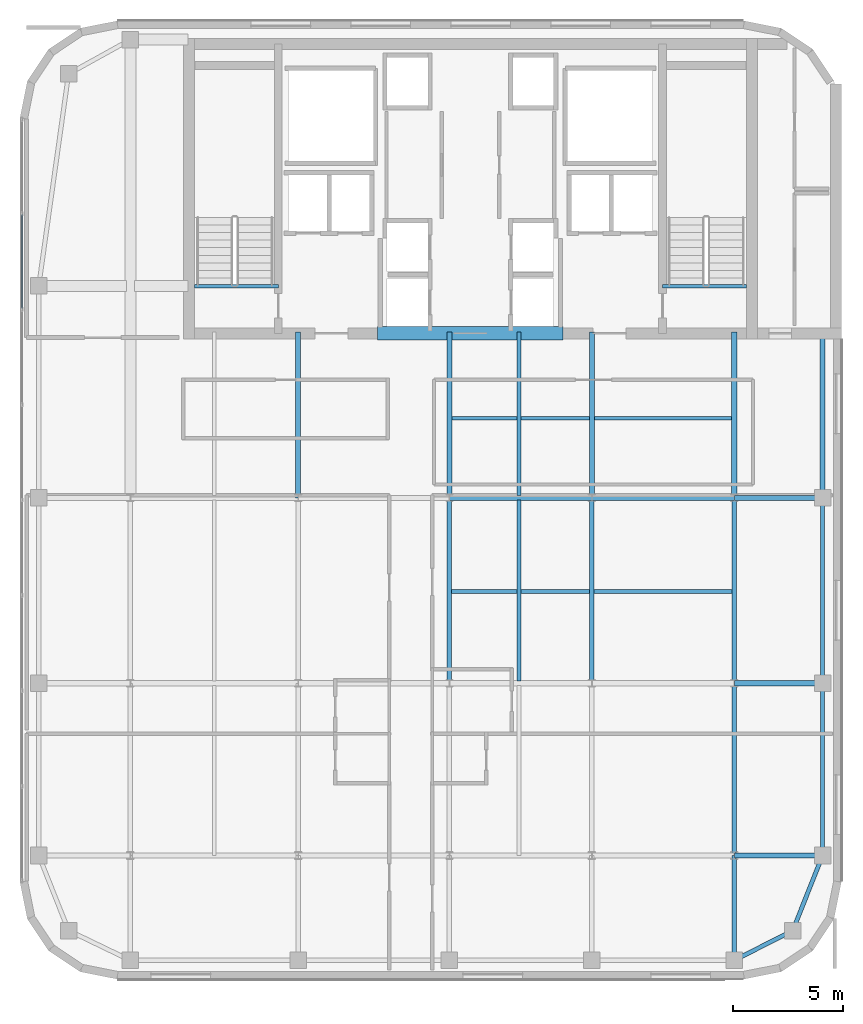
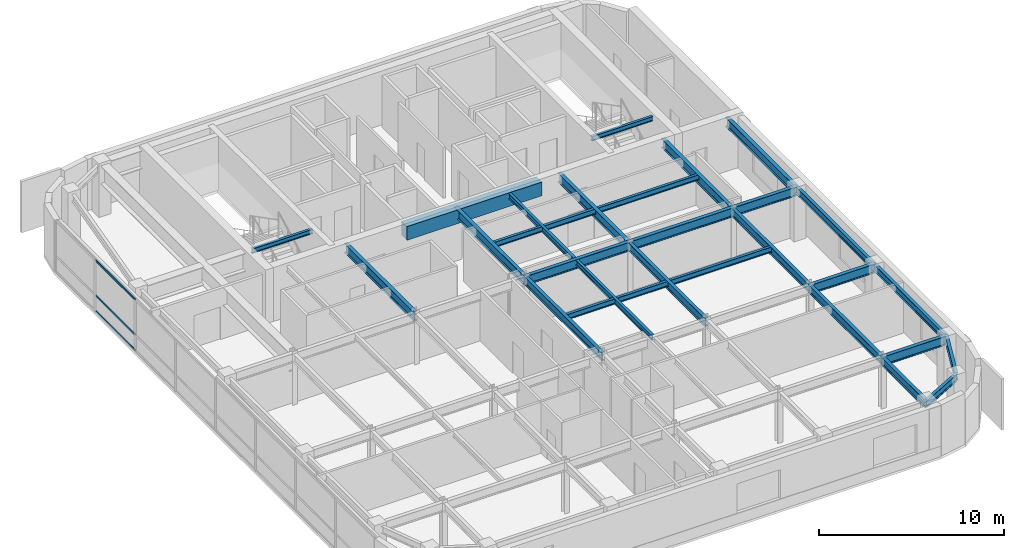
# One storey, part 10 of 21: 26 beams, 3 members, 1 element without a shape of its own.
"""IFC4 building model written with IfcOpenShell, lengths in metres."""

from ifc_helpers import new_model, si_unit, direction, frame, origin, origin_2d, place, context, subcontext, project, spatial, rectangle, hollow_rectangle, i_section, extrude, source, transform, mapped, material, layer, layer_set, material_profile, profile_set, type_object, type_shapes, element, aggregate, save


model = new_model("IFC4")

# Units and contexts
model_context = context("Model", 3, precision=1e-05, world=origin(), true_north=direction((0.0, 1.0)))
body_context = subcontext(model_context, "Body", "Model", "MODEL_VIEW")
ifc_project = project(units=[si_unit("LENGTHUNIT", "METRE"), si_unit("AREAUNIT", "SQUARE_METRE"), si_unit("VOLUMEUNIT", "CUBIC_METRE"), si_unit("PLANEANGLEUNIT", "RADIAN"), si_unit("MASSUNIT", "GRAM", prefix="KILO")], contexts=[model_context])

# Site, building, storey
site_placement = place(None, origin())
site = spatial("IfcSite", under=ifc_project, at=site_placement, CompositionType="ELEMENT")
building_placement = place(site_placement, origin())
building = spatial("IfcBuilding", under=site, at=building_placement, Name="Tolvann Quenvar Hotel", CompositionType="ELEMENT")
storey_placement = place(building_placement, frame((0.0, 0.0, 227.449951171875)))
storey = spatial("IfcBuildingStorey", under=building, at=storey_placement, Name="L60", CompositionType="ELEMENT", Elevation=227.449951171875)

# Beams
ifc_material_1 = material(Name="Concrete N50 (50 MPa)", Category="concrete")
ifc_material_profile_1 = material_profile(ifc_material_1, rectangle(XDim=0.60009765625, YDim=0.89990234375, at=origin_2d()), Name="RC600x900")
ifc_profile_set_1 = profile_set([ifc_material_profile_1], Name="Concrete N50 (50 MPa)")
beam_type_1 = type_object("IfcBeamType", Name="BM_LINT_RC600x900", PredefinedType="LINTEL", material=ifc_profile_set_1)
shared_shape_1 = source(origin(), body_context, "Body", "SweptSolid", [
    extrude(rectangle(XDim=0.60009765625, YDim=0.89990234375, at=origin_2d()), origin(), (0.0, 0.0, 1.0), 8.39990234375),
])
type_shapes(beam_type_1, [shared_shape_1])
beam_1_placement = place(storey_placement, frame((18.800048828125, 31.85009765625, 2.920166015625), z_axis=(1.0, 0.0, 0.0), x_axis=(0.0, 1.0, 0.0)))
element("IfcBeam", 1, at=beam_1_placement, inside=storey, type_object=beam_type_1, Name="Core Coupling Lintel Beam (L60)", PredefinedType="LINTEL", context=body_context, shape_type="MappedRepresentation", body=[
    mapped(shared_shape_1, transform((0.0, 0.0, 0.0), x_axis=(1.0, 0.0, 0.0), y_axis=(0.0, 1.0, 0.0), z_axis=(0.0, 0.0, 1.0), scale=1.0)),
])
ifc_material_2 = material(Name="Steel Grade 350", Category="steel")
ifc_material_profile_2 = material_profile(ifc_material_2, i_section(OverallWidth=0.208984375, OverallDepth=0.532958984375, WebThickness=0.01025390625, FlangeThickness=0.015625, FilletRadius=0.013916015625, at=origin_2d()), Name="530UB92")
ifc_profile_set_2 = profile_set([ifc_material_profile_2], Name="Steel Grade 350")
beam_type_2 = type_object("IfcBeamType", Name="BM_GIRD_530UB92", PredefinedType="BEAM", material=ifc_profile_set_2)
shared_shape_2 = source(origin(), body_context, "Body", "SweptSolid", [
    extrude(i_section(OverallWidth=0.208984375, OverallDepth=0.532958984375, WebThickness=0.01025390625, FlangeThickness=0.015625, FilletRadius=0.013916015625, at=origin_2d()), origin(), (0.0, 0.0, 1.0), 7.800048828125),
])
beam_2_placement = place(storey_placement, frame((34.949951171875, 8.199951171875, 3.103515625), z_axis=(0.0, 1.0, 0.0), x_axis=(-1.0, 0.0, 0.0)))
element("IfcBeam", 2, at=beam_2_placement, inside=storey, type_object=beam_type_2, Name="BM-L60-NS-F3-F4", PredefinedType="BEAM", context=body_context, shape_type="MappedRepresentation", body=[
    mapped(shared_shape_2, transform((0.0, 0.0, 0.0), x_axis=(1.0, 0.0, 0.0), y_axis=(0.0, 1.0, 0.0), z_axis=(0.0, 0.0, 1.0), scale=1.0)),
])
shared_shape_3 = source(origin(), body_context, "Body", "SweptSolid", [
    extrude(i_section(OverallWidth=0.208984375, OverallDepth=0.532958984375, WebThickness=0.01025390625, FlangeThickness=0.015625, FilletRadius=0.013916015625, at=origin_2d()), origin(), (0.0, 0.0, 1.0), 8.39990234375),
])
for number, where, z_axis, x_axis, name in (
    (3, (22.050048828125, 16.0, 3.103515625), (0.0, 1.0, 0.0), (-1.0, 0.0, 0.0), "BM-L60-NS-E4-E5"),
    (4, (34.949951171875, 16.0, 3.103515625), (0.0, 1.0, 0.0), (-1.0, 0.0, 0.0), "BM-L60-NS-F4-F5"),
    (5, (28.5, 16.0, 3.103515625), (0.0, 1.0, 0.0), (-1.0, 0.0, 0.0), "BM-L60-NS-M4-M5"),
):
    element("IfcBeam", number, at=place(storey_placement, frame(where, z_axis=z_axis, x_axis=x_axis)), inside=storey, type_object=beam_type_2, Name=name, PredefinedType="BEAM", context=body_context, shape_type="MappedRepresentation", body=[
        mapped(shared_shape_3, transform((0.0, 0.0, 0.0), x_axis=(1.0, 0.0, 0.0), y_axis=(0.0, 1.0, 0.0), z_axis=(0.0, 0.0, 1.0), scale=1.0)),
    ])
ifc_material_profile_3 = material_profile(ifc_material_2, i_section(OverallWidth=0.166015625, OverallDepth=0.306884765625, WebThickness=0.006591796875, FlangeThickness=0.01171875, FilletRadius=0.011474609375, at=origin_2d()), Name="310UB46")
ifc_profile_set_3 = profile_set([ifc_material_profile_3], Name="Steel Grade 350")
beam_type_3 = type_object("IfcBeamType", Name="BM_JOIST_310UB46", PredefinedType="JOIST", material=ifc_profile_set_3)
shared_shape_4 = source(origin(), body_context, "Body", "SweptSolid", [
    extrude(i_section(OverallWidth=0.166015625, OverallDepth=0.306884765625, WebThickness=0.006591796875, FlangeThickness=0.01171875, FilletRadius=0.011474609375, at=origin_2d()), origin(), (0.0, 0.0, 1.0), 3.800048828125),
])
type_shapes(beam_type_3, [shared_shape_4])
for number, where, z_axis, x_axis, name in (
    (6, (10.5, 33.97998046875, 3.216552734375), (1.0, 0.0, 0.0), (0.0, 1.0, 0.0), "BM-HDR-STC1-L61"),
    (7, (31.699951171875, 33.97998046875, 3.216552734375), (1.0, 0.0, 0.0), (0.0, 1.0, 0.0), "BM-HDR-STC2-L61"),
):
    element("IfcBeam", number, at=place(storey_placement, frame(where, z_axis=z_axis, x_axis=x_axis)), inside=storey, type_object=beam_type_3, Name=name, PredefinedType="JOIST", context=body_context, shape_type="MappedRepresentation", body=[
        mapped(shared_shape_4, transform((0.0, 0.0, 0.0), x_axis=(1.0, 0.0, 0.0), y_axis=(0.0, 1.0, 0.0), z_axis=(0.0, 0.0, 1.0), scale=1.0)),
    ])
ifc_material_profile_4 = material_profile(ifc_material_2, i_section(OverallWidth=0.172119140625, OverallDepth=0.35888671875, WebThickness=0.008056640625, FlangeThickness=0.012939453125, FilletRadius=0.011474609375, at=origin_2d()), Name="360UB57")
ifc_profile_set_4 = profile_set([ifc_material_profile_4], Name="Steel Grade 350")
beam_type_4 = type_object("IfcBeamType", Name="BM_JOIST_360UB57", PredefinedType="JOIST", material=ifc_profile_set_4)
shared_shape_5 = source(origin(), body_context, "Body", "SweptSolid", [
    extrude(i_section(OverallWidth=0.172119140625, OverallDepth=0.35888671875, WebThickness=0.008056640625, FlangeThickness=0.012939453125, FilletRadius=0.011474609375, at=origin_2d()), origin(), (0.0, 0.0, 1.0), 12.89990234375),
])
for number, where, z_axis, x_axis, name in (
    (8, (22.050048828125, 20.14990234375, 3.1904296875), (1.0, 0.0, 0.0), (0.0, 1.0, 0.0), "BM-L60-SPINE-20"),
    (9, (22.050048828125, 28.0, 3.1904296875), (1.0, 0.0, 0.0), (0.0, 1.0, 0.0), "BM-L60-SPINE-28"),
):
    element("IfcBeam", number, at=place(storey_placement, frame(where, z_axis=z_axis, x_axis=x_axis)), inside=storey, type_object=beam_type_4, Name=name, PredefinedType="JOIST", context=body_context, shape_type="MappedRepresentation", body=[
        mapped(shared_shape_5, transform((0.0, 0.0, 0.0), x_axis=(1.0, 0.0, 0.0), y_axis=(0.0, 1.0, 0.0), z_axis=(0.0, 0.0, 1.0), scale=1.0)),
    ])
ifc_material_profile_5 = material_profile(ifc_material_2, i_section(OverallWidth=0.22802734375, OverallDepth=0.60205078125, WebThickness=0.010498046875, FlangeThickness=0.014892578125, FilletRadius=0.013916015625, at=origin_2d()), Name="610UB101")
ifc_profile_set_5 = profile_set([ifc_material_profile_5], Name="Steel Grade 350")
beam_type_5 = type_object("IfcBeamType", Name="BM_GIRD_610UB101", PredefinedType="BEAM", material=ifc_profile_set_5)
shared_shape_6 = source(origin(), body_context, "Body", "SweptSolid", [
    extrude(i_section(OverallWidth=0.22802734375, OverallDepth=0.60205078125, WebThickness=0.010498046875, FlangeThickness=0.014892578125, FilletRadius=0.013916015625, at=origin_2d()), origin(), (0.0, 0.0, 1.0), 6.449951171875),
])
for number, where, z_axis, x_axis, name in (
    (10, (22.050048828125, 24.39990234375, 3.069091796875), (1.0, 0.0, 0.0), (0.0, 1.0, 0.0), "BM-L60-EW-5-E5-M5"),
    (11, (28.5, 24.39990234375, 3.069091796875), (1.0, 0.0, 0.0), (0.0, 1.0, 0.0), "BM-L60-EW-5-M5-F5"),
):
    element("IfcBeam", number, at=place(storey_placement, frame(where, z_axis=z_axis, x_axis=x_axis)), inside=storey, type_object=beam_type_5, Name=name, PredefinedType="BEAM", context=body_context, shape_type="MappedRepresentation", body=[
        mapped(shared_shape_6, transform((0.0, 0.0, 0.0), x_axis=(1.0, 0.0, 0.0), y_axis=(0.0, 1.0, 0.0), z_axis=(0.0, 0.0, 1.0), scale=1.0)),
    ])
shared_shape_7 = source(origin(), body_context, "Body", "SweptSolid", [
    extrude(i_section(OverallWidth=0.208984375, OverallDepth=0.532958984375, WebThickness=0.01025390625, FlangeThickness=0.015625, FilletRadius=0.013916015625, at=origin_2d()), origin(), (0.0, 0.0, 1.0), 4.75),
])
type_shapes(beam_type_2, [shared_shape_2, shared_shape_3, shared_shape_7])
beam_3_placement = place(storey_placement, frame((34.949951171875, 3.449951171875, 3.103515625), z_axis=(0.0, 1.0, 0.0), x_axis=(-1.0, 0.0, 0.0)))
element("IfcBeam", 12, at=beam_3_placement, inside=storey, type_object=beam_type_2, Name="BM-L60-NS-F2-F3", PredefinedType="BEAM", context=body_context, shape_type="MappedRepresentation", body=[
    mapped(shared_shape_7, transform((0.0, 0.0, 0.0), x_axis=(1.0, 0.0, 0.0), y_axis=(0.0, 1.0, 0.0), z_axis=(0.0, 0.0, 1.0), scale=1.0)),
])
shared_shape_8 = source(origin(), body_context, "Body", "SweptSolid", [
    extrude(i_section(OverallWidth=0.22802734375, OverallDepth=0.60205078125, WebThickness=0.010498046875, FlangeThickness=0.014892578125, FilletRadius=0.013916015625, at=origin_2d()), origin(), (0.0, 0.0, 1.0), 7.5),
])
for number, where, z_axis, x_axis, name in (
    (13, (15.199951171875, 24.39990234375, 3.069091796875), (0.0, 1.0, 0.0), (-1.0, 0.0, 0.0), "BM-L60-CORE-D5"),
    (14, (22.050048828125, 24.39990234375, 3.069091796875), (0.0, 1.0, 0.0), (-1.0, 0.0, 0.0), "BM-L60-CORE-E5"),
    (15, (34.949951171875, 24.39990234375, 3.069091796875), (0.0, 1.0, 0.0), (-1.0, 0.0, 0.0), "BM-L60-CORE-F5"),
    (16, (38.949951171875, 24.39990234375, 3.069091796875), (0.0, 1.0, 0.0), (-1.0, 0.0, 0.0), "BM-L60-CORE-G5"),
    (17, (28.5, 24.39990234375, 3.069091796875), (0.0, 1.0, 0.0), (-1.0, 0.0, 0.0), "BM-L60-CORE-M5"),
):
    element("IfcBeam", number, at=place(storey_placement, frame(where, z_axis=z_axis, x_axis=x_axis)), inside=storey, type_object=beam_type_5, Name=name, PredefinedType="BEAM", context=body_context, shape_type="MappedRepresentation", body=[
        mapped(shared_shape_8, transform((0.0, 0.0, 0.0), x_axis=(1.0, 0.0, 0.0), y_axis=(0.0, 1.0, 0.0), z_axis=(0.0, 0.0, 1.0), scale=1.0)),
    ])
shared_shape_9 = source(origin(), body_context, "Body", "SweptSolid", [
    extrude(i_section(OverallWidth=0.172119140625, OverallDepth=0.35888671875, WebThickness=0.008056640625, FlangeThickness=0.012939453125, FilletRadius=0.011474609375, at=origin_2d()), origin(), (0.0, 0.0, 1.0), 8.18408203125),
])
beam_4_placement = place(storey_placement, frame((25.199951171875, 16.10791015625, 3.1904296875), z_axis=(0.0, 1.0, 0.0), x_axis=(-1.0, 0.0, 0.0)))
element("IfcBeam", 18, at=beam_4_placement, inside=storey, type_object=beam_type_4, Name="BJ-L60-252-160", PredefinedType="JOIST", context=body_context, shape_type="MappedRepresentation", body=[
    mapped(shared_shape_9, transform((0.0, 0.0, 0.0), x_axis=(1.0, 0.0, 0.0), y_axis=(0.0, 1.0, 0.0), z_axis=(0.0, 0.0, 1.0), scale=1.0)),
])
shared_shape_10 = source(origin(), body_context, "Body", "SweptSolid", [
    extrude(i_section(OverallWidth=0.172119140625, OverallDepth=0.35888671875, WebThickness=0.008056640625, FlangeThickness=0.012939453125, FilletRadius=0.011474609375, at=origin_2d()), origin(), (0.0, 0.0, 1.0), 7.391845703125),
])
type_shapes(beam_type_4, [shared_shape_5, shared_shape_9, shared_shape_10])
beam_5_placement = place(storey_placement, frame((25.199951171875, 24.508056640625, 3.1904296875), z_axis=(0.0, 1.0, 0.0), x_axis=(-1.0, 0.0, 0.0)))
element("IfcBeam", 19, at=beam_5_placement, inside=storey, type_object=beam_type_4, Name="BJ-L60-252-244", PredefinedType="JOIST", context=body_context, shape_type="MappedRepresentation", body=[
    mapped(shared_shape_10, transform((0.0, 0.0, 0.0), x_axis=(1.0, 0.0, 0.0), y_axis=(0.0, 1.0, 0.0), z_axis=(0.0, 0.0, 1.0), scale=1.0)),
])
ifc_material_profile_6 = material_profile(ifc_material_2, i_section(OverallWidth=0.19091796875, OverallDepth=0.4599609375, WebThickness=0.010009765625, FlangeThickness=0.01611328125, FilletRadius=0.011474609375, at=origin_2d()), Name="460UB82")
ifc_profile_set_6 = profile_set([ifc_material_profile_6], Name="Steel Grade 350")
beam_type_6 = type_object("IfcBeamType", Name="BM_SPAND_460UB82", PredefinedType="SPANDREL", material=ifc_profile_set_6)
shared_shape_11 = source(origin(), body_context, "Body", "SweptSolid", [
    extrude(i_section(OverallWidth=0.19091796875, OverallDepth=0.4599609375, WebThickness=0.010009765625, FlangeThickness=0.01611328125, FilletRadius=0.011474609375, at=origin_2d()), origin(), (0.0, 0.0, 1.0), 2.97412109375),
])
beam_6_placement = place(storey_placement, frame((34.949951171875, 3.449951171875, 3.14013671875), z_axis=(0.891036364695, 0.453931929688, 0.0), x_axis=(-0.453931929688, 0.891036364695, 0.0)))
element("IfcBeam", 20, at=beam_6_placement, inside=storey, type_object=beam_type_6, Name="BM-L60-EW-2-F2-G2", PredefinedType="SPANDREL", context=body_context, shape_type="MappedRepresentation", body=[
    mapped(shared_shape_11, transform((0.0, 0.0, 0.0), x_axis=(1.0, 0.0, 0.0), y_axis=(0.0, 1.0, 0.0), z_axis=(0.0, 0.0, 1.0), scale=1.0)),
])
shared_shape_12 = source(origin(), body_context, "Body", "SweptSolid", [
    extrude(i_section(OverallWidth=0.22802734375, OverallDepth=0.60205078125, WebThickness=0.010498046875, FlangeThickness=0.014892578125, FilletRadius=0.013916015625, at=origin_2d()), origin(), (0.0, 0.0, 1.0), 4.0),
])
type_shapes(beam_type_5, [shared_shape_6, shared_shape_8, shared_shape_12])
for number, where, z_axis, x_axis, name in (
    (21, (34.949951171875, 8.199951171875, 3.069091796875), (1.0, 0.0, 0.0), (0.0, 1.0, 0.0), "BM-L60-EW-3-F3-G3"),
    (22, (34.949951171875, 16.0, 3.069091796875), (1.0, 0.0, 0.0), (0.0, 1.0, 0.0), "BM-L60-EW-4-F4-G4"),
    (23, (34.949951171875, 24.39990234375, 3.069091796875), (1.0, 0.0, 0.0), (0.0, 1.0, 0.0), "BM-L60-EW-5-F5-G5"),
):
    element("IfcBeam", number, at=place(storey_placement, frame(where, z_axis=z_axis, x_axis=x_axis)), inside=storey, type_object=beam_type_5, Name=name, PredefinedType="BEAM", context=body_context, shape_type="MappedRepresentation", body=[
        mapped(shared_shape_12, transform((0.0, 0.0, 0.0), x_axis=(1.0, 0.0, 0.0), y_axis=(0.0, 1.0, 0.0), z_axis=(0.0, 0.0, 1.0), scale=1.0)),
    ])
shared_shape_13 = source(origin(), body_context, "Body", "SweptSolid", [
    extrude(i_section(OverallWidth=0.19091796875, OverallDepth=0.4599609375, WebThickness=0.010009765625, FlangeThickness=0.01611328125, FilletRadius=0.011474609375, at=origin_2d()), origin(), (0.0, 0.0, 1.0), 7.800048828125),
])
beam_7_placement = place(storey_placement, frame((38.949951171875, 8.199951171875, 3.14013671875), z_axis=(0.0, 1.0, 0.0), x_axis=(-1.0, 0.0, 0.0)))
element("IfcBeam", 24, at=beam_7_placement, inside=storey, type_object=beam_type_6, Name="BM-L60-NS-G3-G4", PredefinedType="SPANDREL", context=body_context, shape_type="MappedRepresentation", body=[
    mapped(shared_shape_13, transform((0.0, 0.0, 0.0), x_axis=(1.0, 0.0, 0.0), y_axis=(0.0, 1.0, 0.0), z_axis=(0.0, 0.0, 1.0), scale=1.0)),
])
shared_shape_14 = source(origin(), body_context, "Body", "SweptSolid", [
    extrude(i_section(OverallWidth=0.19091796875, OverallDepth=0.4599609375, WebThickness=0.010009765625, FlangeThickness=0.01611328125, FilletRadius=0.011474609375, at=origin_2d()), origin(), (0.0, 0.0, 1.0), 8.39990234375),
])
beam_8_placement = place(storey_placement, frame((38.949951171875, 16.0, 3.14013671875), z_axis=(0.0, 1.0, 0.0), x_axis=(-1.0, 0.0, 0.0)))
element("IfcBeam", 25, at=beam_8_placement, inside=storey, type_object=beam_type_6, Name="BM-L60-NS-G4-G5", PredefinedType="SPANDREL", context=body_context, shape_type="MappedRepresentation", body=[
    mapped(shared_shape_14, transform((0.0, 0.0, 0.0), x_axis=(1.0, 0.0, 0.0), y_axis=(0.0, 1.0, 0.0), z_axis=(0.0, 0.0, 1.0), scale=1.0)),
])
shared_shape_15 = source(origin(), body_context, "Body", "SweptSolid", [
    extrude(i_section(OverallWidth=0.19091796875, OverallDepth=0.4599609375, WebThickness=0.010009765625, FlangeThickness=0.01611328125, FilletRadius=0.011474609375, at=origin_2d()), origin(), (0.0, 0.0, 1.0), 3.657958984375),
])
type_shapes(beam_type_6, [shared_shape_11, shared_shape_13, shared_shape_14, shared_shape_15])
beam_9_placement = place(storey_placement, frame((37.60009765625, 4.800048828125, 3.14013671875), z_axis=(0.369007513371, 0.929426411867, 0.0), x_axis=(-0.929426411867, 0.369007513371, 0.0)))
element("IfcBeam", 26, at=beam_9_placement, inside=storey, type_object=beam_type_6, Name="BM-L60-NS-G2-G3", PredefinedType="SPANDREL", context=body_context, shape_type="MappedRepresentation", body=[
    mapped(shared_shape_15, transform((0.0, 0.0, 0.0), x_axis=(1.0, 0.0, 0.0), y_axis=(0.0, 1.0, 0.0), z_axis=(0.0, 0.0, 1.0), scale=1.0)),
])

# Curtain wall, members
ifc_material_3 = material(Name="Thermally broken anodised architectural aluminium 6063-T6 and laminated low-E glass", Category="aluminium")
ifc_layer = layer(ifc_material_3, 0.179931640625)
ifc_layer_set = layer_set([ifc_layer], Name="Thermally broken anodised architectural aluminium 6063-T6 and laminated low-E glass")
curtain_wall_type = type_object("IfcCurtainWallType", Name="CW_SYS_BAND_04", PredefinedType="USERDEFINED", material=ifc_layer_set)
curtain_wall_placement = place(storey_placement, origin())
curtain_wall = element("IfcCurtainWall", 27, at=curtain_wall_placement, inside=storey, type_object=curtain_wall_type, Name="Curtain Wall CW-BAND-04 (CWR-L60-E19)", ObjectType="UNITISED CURTAIN WALL", PredefinedType="USERDEFINED")
ifc_material_4 = material(Name="Anodised architectural aluminium 6063-T6 framing", Category="aluminium")
ifc_material_profile_7 = material_profile(ifc_material_4, hollow_rectangle(XDim=0.06005859375, YDim=0.1201171875, WallThickness=0.00341796875, at=origin_2d()), Name="120x60x3.5RHS")
ifc_profile_set_7 = profile_set([ifc_material_profile_7], Name="Anodised architectural aluminium 6063-T6 framing")
member_type = type_object("IfcMemberType", Name="CW_TRAN_120x60", PredefinedType="USERDEFINED", material=ifc_profile_set_7)
shared_shape_16 = source(origin(), body_context, "Body", "SweptSolid", [
    extrude(hollow_rectangle(XDim=0.06005859375, YDim=0.1201171875, WallThickness=0.00341796875, at=origin_2d()), origin(), (0.0, 0.0, 1.0), 4.250732421875),
])
type_shapes(member_type, [shared_shape_16])
member_1_placement = place(storey_placement, frame((2.68994140625, 37.22705078125, 0.030029296875), z_axis=(0.0, -1.0, 0.0), x_axis=(1.0, 0.0, 0.0)))
member_1 = element("IfcMember", 28, at=member_1_placement, type_object=member_type, Name="CW-BAND-04 transom 2.1", ObjectType="TRANSOM", PredefinedType="USERDEFINED", context=body_context, shape_type="MappedRepresentation", body=[
    mapped(shared_shape_16, transform((0.0, 0.0, 0.0), x_axis=(1.0, 0.0, 0.0), y_axis=(0.0, 1.0, 0.0), z_axis=(0.0, 0.0, 1.0), scale=1.0)),
])
member_2_placement = place(storey_placement, frame((2.68994140625, 37.22705078125, 1.050048828125), z_axis=(0.0, -1.0, 0.0), x_axis=(1.0, 0.0, 0.0)))
member_2 = element("IfcMember", 29, at=member_2_placement, type_object=member_type, Name="CW-BAND-04 transom 2.2", ObjectType="TRANSOM", PredefinedType="USERDEFINED", context=body_context, shape_type="MappedRepresentation", body=[
    mapped(shared_shape_16, transform((0.0, 0.0, 0.0), x_axis=(1.0, 0.0, 0.0), y_axis=(0.0, 1.0, 0.0), z_axis=(0.0, 0.0, 1.0), scale=1.0)),
])
member_3_placement = place(storey_placement, frame((2.68994140625, 37.22705078125, 3.340087890625), z_axis=(0.0, -1.0, 0.0), x_axis=(1.0, 0.0, 0.0)))
member_3 = element("IfcMember", 30, at=member_3_placement, type_object=member_type, Name="CW-BAND-04 transom 2.3", ObjectType="TRANSOM", PredefinedType="USERDEFINED", context=body_context, shape_type="MappedRepresentation", body=[
    mapped(shared_shape_16, transform((0.0, 0.0, 0.0), x_axis=(1.0, 0.0, 0.0), y_axis=(0.0, 1.0, 0.0), z_axis=(0.0, 0.0, 1.0), scale=1.0)),
])
aggregate(curtain_wall, [member_1, member_2, member_3])

save(model, "model.ifc")
